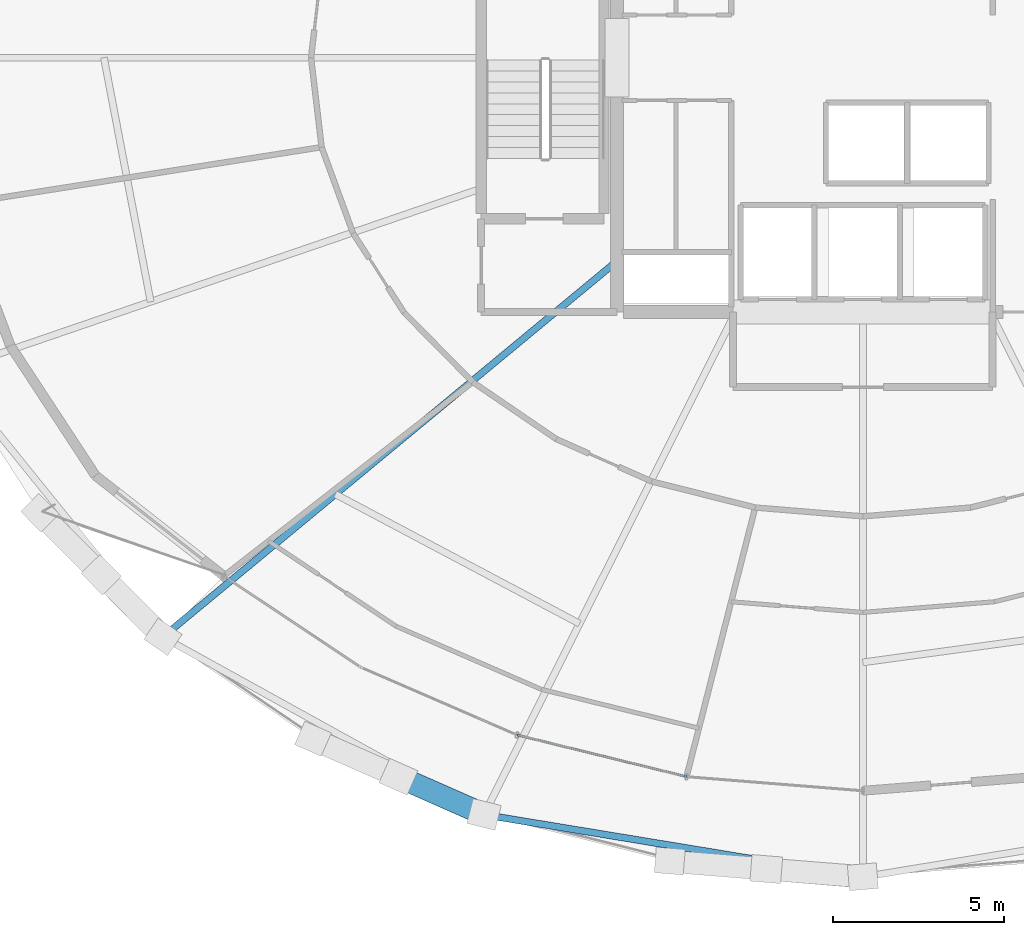
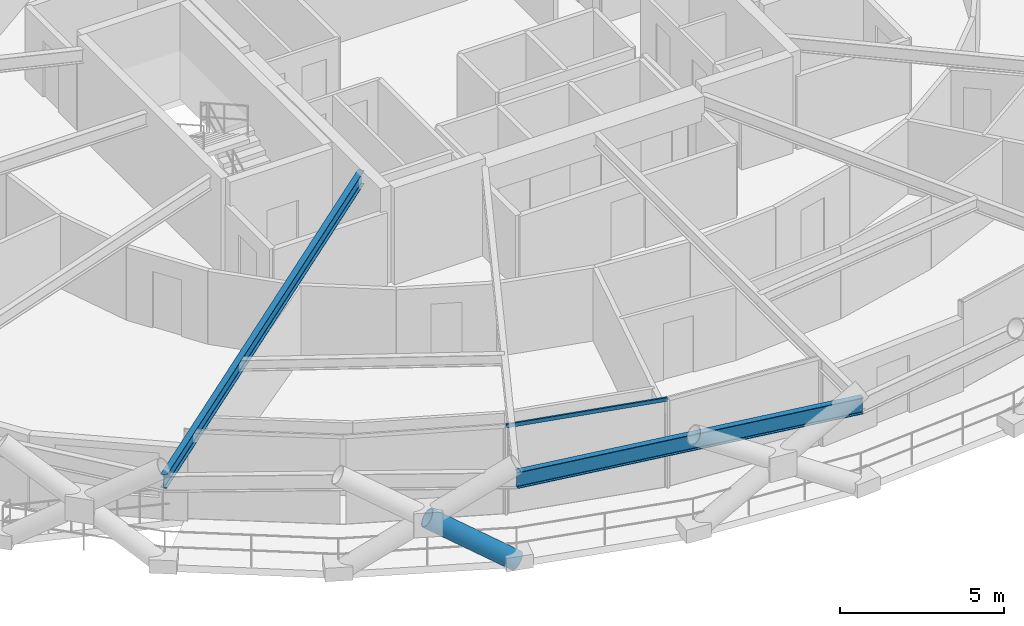
# One storey, part 3 of 19: 2 beams, 2 members, 1 element without a shape of its own.
"""IFC4 building model written with IfcOpenShell, lengths in metres."""

from ifc_helpers import new_model, si_unit, direction, frame, origin, origin_2d, place, context, subcontext, project, spatial, hollow_rectangle, hollow_circle, i_section, extrude, material, layer, layer_set, material_profile, profile_set, type_object, element, aggregate, save


model = new_model("IFC4")

# Units and contexts
model_context = context("Model", 3, precision=1e-05, world=origin(), true_north=direction((0.0, 1.0)))
body_context = subcontext(model_context, "Body", "Model", "MODEL_VIEW")
ifc_project = project(units=[si_unit("LENGTHUNIT", "METRE"), si_unit("AREAUNIT", "SQUARE_METRE"), si_unit("VOLUMEUNIT", "CUBIC_METRE"), si_unit("PLANEANGLEUNIT", "RADIAN"), si_unit("MASSUNIT", "GRAM", prefix="KILO")], contexts=[model_context])

# Site, building, storey
site_placement = place(None, origin())
site = spatial("IfcSite", under=ifc_project, at=site_placement, CompositionType="ELEMENT")
building_placement = place(site_placement, origin())
building = spatial("IfcBuilding", under=site, at=building_placement, Name="Veldorina Hangang Commons", CompositionType="ELEMENT")
storey_placement = place(building_placement, frame((0.0, 0.0, 77.199951171875)))
storey = spatial("IfcBuildingStorey", under=building, at=storey_placement, Name="L19", CompositionType="ELEMENT", Elevation=77.199951171875)

# Beams
ifc_material_1 = material(Name="Steel SM420-TMC", Category="steel")
ifc_material_profile_1 = material_profile(ifc_material_1, i_section(OverallWidth=0.199951171875, OverallDepth=0.5, WebThickness=0.010009765625, FlangeThickness=0.01611328125, FilletRadius=0.01611328125, at=origin_2d()), Name="H-500x200x10x16")
ifc_profile_set_1 = profile_set([ifc_material_profile_1], Name="Steel SM420-TMC")
beam_type_1 = type_object("IfcBeamType", Name="BM-FG500", PredefinedType="BEAM", material=ifc_profile_set_1)
beam_1_placement = place(storey_placement, frame((24.800048828125, 18.04150390625, 3.090087890625), z_axis=(-0.770399827966, -0.637561059876, 0.0), x_axis=(0.637561059876, -0.770399827966, 0.0)))
element("IfcBeam", 1, at=beam_1_placement, inside=storey, type_object=beam_type_1, Name="L19 radial floor girder 11", PredefinedType="BEAM", context=body_context, shape_type="SweptSolid", body=[
    extrude(i_section(OverallWidth=0.199951171875, OverallDepth=0.5, WebThickness=0.010009765625, FlangeThickness=0.01611328125, FilletRadius=0.01611328125, at=origin_2d()), origin(), (0.0, 0.0, 1.0), 17.2705078125),
])
ifc_material_profile_2 = material_profile(ifc_material_1, i_section(OverallWidth=0.199951171875, OverallDepth=0.60009765625, WebThickness=0.010986328125, FlangeThickness=0.01708984375, FilletRadius=0.01806640625, at=origin_2d()), Name="H-600x200x11x17")
ifc_profile_set_2 = profile_set([ifc_material_profile_2], Name="Steel SM420-TMC")
beam_type_2 = type_object("IfcBeamType", Name="BM-RB600", PredefinedType="BEAM", material=ifc_profile_set_2)
beam_2_placement = place(storey_placement, frame((20.90283203125, 1.828369140625, 3.0400390625), z_axis=(0.986718189619, -0.162441417981, 0.0), x_axis=(0.162441417981, 0.986718189619, 0.0)))
element("IfcBeam", 2, at=beam_2_placement, inside=storey, type_object=beam_type_2, Name="L19 perimeter hoop ring beam 22", PredefinedType="BEAM", context=body_context, shape_type="SweptSolid", body=[
    extrude(i_section(OverallWidth=0.199951171875, OverallDepth=0.60009765625, WebThickness=0.010986328125, FlangeThickness=0.01708984375, FilletRadius=0.01806640625, at=origin_2d()), origin(), (0.0, 0.0, 1.0), 11.24658203125),
])

# Curtain wall, member
ifc_material_2 = material(Name="Glass Low-E Triple IGU", Category="glass")
ifc_layer = layer(ifc_material_2, 0.179931640625)
ifc_layer_set = layer_set([ifc_layer], Name="Glass Low-E Triple IGU")
curtain_wall_type = type_object("IfcCurtainWallType", Name="CW-SYS-Z1", PredefinedType="NOTDEFINED", material=ifc_layer_set)
curtain_wall_placement = place(storey_placement, origin())
curtain_wall = element("IfcCurtainWall", 3, at=curtain_wall_placement, inside=storey, type_object=curtain_wall_type, Name="L19 unitised curtain wall CW-L19-R1", PredefinedType="NOTDEFINED")
ifc_material_3 = material(Name="Aluminium Anodized AA6063-T6", Category="aluminium")
ifc_material_profile_3 = material_profile(ifc_material_3, hollow_rectangle(XDim=0.06005859375, YDim=0.139892578125, WallThickness=0.00341796875, at=origin_2d()), Name="ALU-RHS-140x60x3.5")
ifc_profile_set_3 = profile_set([ifc_material_profile_3], Name="Aluminium Anodized AA6063-T6")
member_type_1 = type_object("IfcMemberType", Name="CW-TRN-140", PredefinedType="USERDEFINED", material=ifc_profile_set_3)
member_1_placement = place(storey_placement, frame((21.8701171875, 4.163818359375, 3.260009765625), z_axis=(0.97103175308, -0.238950485479, 0.0), x_axis=(0.238950485479, 0.97103175308, 0.0)))
member_1 = element("IfcMember", 4, at=member_1_placement, type_object=member_type_1, Name="CW-L19-R1 facet 3 transom 1", ObjectType="TRANSOM", PredefinedType="USERDEFINED", context=body_context, shape_type="SweptSolid", body=[
    extrude(hollow_rectangle(XDim=0.06005859375, YDim=0.139892578125, WallThickness=0.00341796875, at=origin_2d()), origin(), (0.0, 0.0, 1.0), 5.11376953125),
])
aggregate(curtain_wall, [member_1])

# Member
ifc_material_4 = material(Name="Steel SM460-TMC", Category="steel")
ifc_material_profile_4 = material_profile(ifc_material_4, hollow_circle(Radius=0.324951171875, WallThickness=0.031982421875, at=origin_2d()), Name="CHS-650x32")
ifc_profile_set_4 = profile_set([ifc_material_profile_4], Name="Steel SM460-TMC")
member_type_2 = type_object("IfcMemberType", Name="DG-CHS650", PredefinedType="BRACE", material=ifc_profile_set_4)
member_2_placement = place(storey_placement, frame((20.90576171875, 1.835693359375, 0.0), z_axis=(-0.76501625884, 0.336788839667, 0.548929322578), x_axis=(-0.402920712197, -0.915234887711, 0.0)))
element("IfcMember", 5, at=member_2_placement, inside=storey, type_object=member_type_2, Name="L19 split perimeter diagrid lower brace 22", PredefinedType="BRACE", context=body_context, shape_type="SweptSolid", body=[
    extrude(hollow_circle(Radius=0.324951171875, WallThickness=0.031982421875, at=origin_2d()), origin(), (0.0, 0.0, 1.0), 3.27880859375),
])

save(model, "model.ifc")
